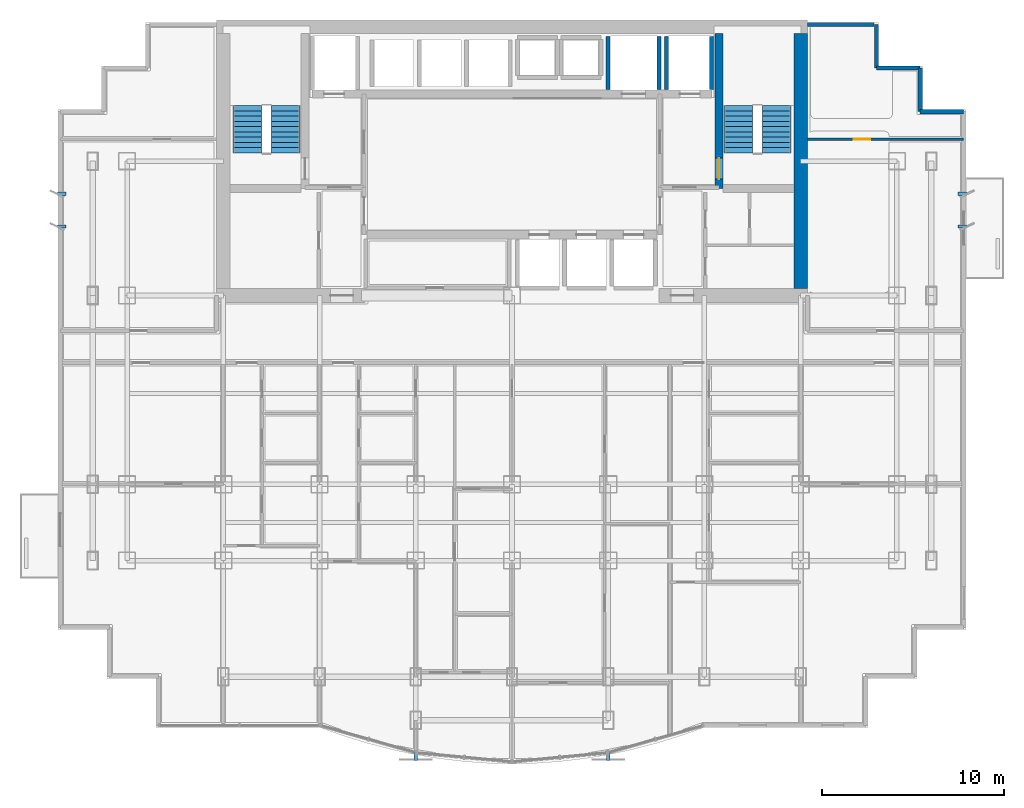
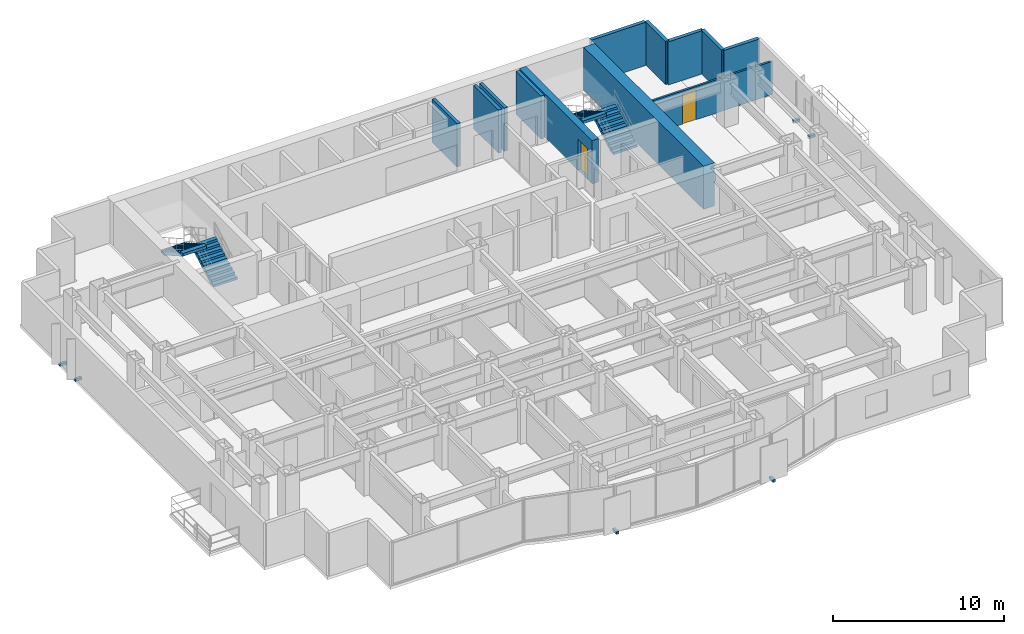
# One storey, part 8 of 10: 12 walls, 6 discrete accessories, 4 stair flights, 2 doors, 2 openings, 2 elements without a shape of their own.
"""IFC4 building model written with IfcOpenShell, lengths in metres."""

from ifc_helpers import new_model, si_unit, direction, frame, frame_2d, origin, origin_2d, place, context, subcontext, project, spatial, polyline, rectangle, outline, extrude, source, transform, mapped, material, layer, layer_set, type_object, element, fill, aggregate, save


model = new_model("IFC4")

# Units and contexts
model_context = context("Model", 3, precision=1e-05, world=origin(), true_north=direction((0.0, 1.0)))
body_context = subcontext(model_context, "Body", "Model", "MODEL_VIEW")
ifc_project = project(units=[si_unit("LENGTHUNIT", "METRE"), si_unit("AREAUNIT", "SQUARE_METRE"), si_unit("VOLUMEUNIT", "CUBIC_METRE"), si_unit("PLANEANGLEUNIT", "RADIAN"), si_unit("MASSUNIT", "GRAM", prefix="KILO")], contexts=[model_context])

# Site, building, storey
site_placement = place(None, origin())
site = spatial("IfcSite", under=ifc_project, at=site_placement, CompositionType="ELEMENT")
building_placement = place(site_placement, origin())
building = spatial("IfcBuilding", under=site, at=building_placement, Name="Qianlan Lanfeng Residences", CompositionType="ELEMENT")
storey_placement = place(building_placement, frame((0.0, 0.0, 118.0)))
storey = spatial("IfcBuildingStorey", under=building, at=storey_placement, Name="L32", CompositionType="ELEMENT", Elevation=118.0)

# Wall, opening, door
ifc_material_1 = material(Name="Concrete C60", Category="concrete")
ifc_layer_1 = layer(ifc_material_1, 0.449951171875)
ifc_layer_set_1 = layer_set([ifc_layer_1], Name="Concrete C60")
wall_type_1 = type_object("IfcWallType", Name="CW-RC-450", PredefinedType="SHEAR", material=ifc_layer_set_1)
wall_1_placement = place(storey_placement, frame((37.89990234375, 31.10009765625, 0.0), z_axis=(0.0, 0.0, 1.0), x_axis=(0.0, 1.0, 0.0)))
wall_1 = element("IfcWall", 1, at=wall_1_placement, inside=storey, type_object=wall_type_1, Name="L32 Core Shear Wall ST2W", PredefinedType="SHEAR", context=body_context, shape_type="SweptSolid", body=[
    extrude(rectangle(XDim=8.52490234375, YDim=0.449951171875, at=frame_2d((4.262451171875, 0.0))), origin(), (0.0, 0.0, 1.0), 3.090087890625),
])
opening_1_placement = place(wall_1_placement, frame((0.510009765625, 0.0, 0.0)))
opening_1 = element("IfcOpeningElement", 2, at=opening_1_placement, cuts=wall_1, Name="Opening L32-D08", PredefinedType="OPENING", context=body_context, shape_type="SweptSolid", body=[
    extrude(rectangle(XDim=1.14990234375, YDim=2.199951171875, at=frame_2d((0.574951171875, 1.10009765625))), frame((0.0, 0.23486328125, 0.0), z_axis=(0.0, -1.0, 0.0), x_axis=(1.0, 0.0, 0.0)), (0.0, 0.0, 1.0), 0.469970703125),
])
ifc_material_2 = material(Name="Painted Galvanised Steel Fire Door", Category="steel")
door_type_1 = type_object("IfcDoorType", Name="DT-ST1", OperationType="NOTDEFINED", PredefinedType="DOOR", material=ifc_material_2)
door_1_placement = place(opening_1_placement, origin())
door_1 = element("IfcDoor", 3, at=door_1_placement, inside=storey, type_object=door_type_1, Name="L32 Exit Stair ST-2 Door L32-D08 (DT-ST1)", OperationType="SINGLE_SWING_RIGHT", OverallHeight=2.199951171875, OverallWidth=1.14990234375, PredefinedType="DOOR", context=body_context, shape_type="SweptSolid", body=[
    extrude(rectangle(XDim=1.14990234375, YDim=2.199951171875, at=frame_2d((0.574951171875, 1.10009765625))), frame((0.0, 0.02490234375, 0.0), z_axis=(0.0, -1.0, 0.0), x_axis=(1.0, 0.0, 0.0)), (0.0, 0.0, 1.0), 0.050048828125),
])
fill(opening_1, door_1)

# Walls
ifc_layer_2 = layer(ifc_material_1, 0.75)
ifc_layer_set_2 = layer_set([ifc_layer_2], Name="Concrete C60")
wall_type_2 = type_object("IfcWallType", Name="CW-RC-750", PredefinedType="SHEAR", material=ifc_layer_set_2)
wall_2_placement = place(storey_placement, frame((42.39990234375, 25.574951171875, 0.0), z_axis=(0.0, 0.0, 1.0), x_axis=(0.0, 1.0, 0.0)))
element("IfcWall", 4, at=wall_2_placement, inside=storey, type_object=wall_type_2, Name="L32 Core Shear Wall E", PredefinedType="SHEAR", context=body_context, shape_type="SweptSolid", body=[
    extrude(rectangle(XDim=14.050048828125, YDim=0.75, at=frame_2d((7.02490234375, 0.0))), origin(), (0.0, 0.0, 1.0), 3.090087890625),
])
ifc_material_3 = material(Name="Concrete C42", Category="concrete")
ifc_layer_3 = layer(ifc_material_3, 0.239990234375)
ifc_layer_set_3 = layer_set([ifc_layer_3], Name="Concrete C42")
wall_type_3 = type_object("IfcWallType", Name="EW-240", PredefinedType="SOLIDWALL", material=ifc_layer_set_3)
for number, where, z_axis, x_axis, name in (
    (5, (51.3798828125, 35.330078125, 0.0), (0.0, 0.0, 1.0), (-1.0, 0.0, 0.0), "L32 Exterior Facade Spandrel Wall 11"),
    (6, (48.97998046875, 35.330078125, 0.0), (0.0, 0.0, 1.0), (0.0, 1.0, 0.0), "L32 Exterior Facade Spandrel Wall 12"),
    (7, (48.97998046875, 37.72998046875, 0.0), (0.0, 0.0, 1.0), (-1.0, 0.0, 0.0), "L32 Exterior Facade Spandrel Wall 13"),
    (8, (46.580078125, 37.72998046875, 0.0), (0.0, 0.0, 1.0), (0.0, 1.0, 0.0), "L32 Exterior Facade Spandrel Wall 14"),
):
    element("IfcWall", number, at=place(storey_placement, frame(where, z_axis=z_axis, x_axis=x_axis)), inside=storey, type_object=wall_type_3, Name=name, PredefinedType="SOLIDWALL", context=body_context, shape_type="SweptSolid", body=[
        extrude(rectangle(XDim=2.39990234375, YDim=0.239990234375, at=frame_2d((1.199951171875, 0.0))), origin(), (0.0, 0.0, 1.0), 3.090087890625),
    ])
wall_3_placement = place(storey_placement, frame((46.449951171875, 40.1298828125, 0.0), z_axis=(0.0, 0.0, 1.0), x_axis=(-1.0, 0.0, 0.0)))
element("IfcWall", 9, at=wall_3_placement, inside=storey, type_object=wall_type_3, Name="L32 North Wing Exterior Wall E", PredefinedType="SOLIDWALL", context=body_context, shape_type="SweptSolid", body=[
    extrude(rectangle(XDim=3.675048828125, YDim=0.239990234375, at=frame_2d((1.83740234375, 0.0))), origin(), (0.0, 0.0, 1.0), 3.090087890625),
])

# Wall, opening, door
ifc_material_4 = material(Name="Moisture-Resistant Gypsum Partition 135 mm")
ifc_layer_4 = layer(ifc_material_4, 0.135009765625)
ifc_layer_set_4 = layer_set([ifc_layer_4], Name="Moisture-Resistant Gypsum Partition 135 mm")
wall_type_4 = type_object("IfcWallType", Name="PW-135", PredefinedType="PARTITIONING", material=ifc_layer_set_4)
wall_4_placement = place(storey_placement, frame((42.77490234375, 33.800048828125, 0.0), z_axis=(0.0, 0.0, 1.0), x_axis=(1.0, 0.0, 0.0)))
wall_4 = element("IfcWall", 10, at=wall_4_placement, inside=storey, type_object=wall_type_4, Name="L32 EW North Wing Wall", PredefinedType="PARTITIONING", context=body_context, shape_type="SweptSolid", body=[
    extrude(rectangle(XDim=8.60498046875, YDim=0.135009765625, at=frame_2d((4.302490234375, 0.0))), origin(), (0.0, 0.0, 1.0), 2.3798828125),
])
opening_2_placement = place(wall_4_placement, frame((2.5419921875, 0.0, 0.0)))
opening_2 = element("IfcOpeningElement", 11, at=opening_2_placement, cuts=wall_4, Name="Opening L32-D46", PredefinedType="OPENING", context=body_context, shape_type="SweptSolid", body=[
    extrude(rectangle(XDim=0.919921875, YDim=2.14990234375, at=frame_2d((0.4599609375, 1.074951171875))), frame((0.0, 0.07763671875, 0.0), z_axis=(0.0, -1.0, 0.0), x_axis=(1.0, 0.0, 0.0)), (0.0, 0.0, 1.0), 0.155029296875),
])
ifc_material_5 = material(Name="Glazed Timber Kitchen/Study Door", Category="wood")
door_type_2 = type_object("IfcDoorType", Name="DT-INT", OperationType="NOTDEFINED", PredefinedType="DOOR", material=ifc_material_5)
door_2_placement = place(opening_2_placement, origin())
door_2 = element("IfcDoor", 12, at=door_2_placement, inside=storey, type_object=door_type_2, Name="L32 EW Inner Salon Door L32-D46 (DT-INT)", OperationType="SINGLE_SWING_RIGHT", OverallHeight=2.14990234375, OverallWidth=0.919921875, PredefinedType="DOOR", context=body_context, shape_type="SweptSolid", body=[
    extrude(rectangle(XDim=0.919921875, YDim=2.14990234375, at=frame_2d((0.4599609375, 1.074951171875))), frame((0.0, 0.02490234375, 0.0), z_axis=(0.0, -1.0, 0.0), x_axis=(1.0, 0.0, 0.0)), (0.0, 0.0, 1.0), 0.050048828125),
])
fill(opening_2, door_2)

# Walls
ifc_material_6 = material(Name="Concrete C49", Category="concrete")
ifc_layer_5 = layer(ifc_material_6, 0.219970703125)
ifc_layer_set_5 = layer_set([ifc_layer_5], Name="Concrete C49")
wall_type_5 = type_object("IfcWallType", Name="SHW-220", PredefinedType="SOLIDWALL", material=ifc_layer_set_5)
for number, where, z_axis, x_axis, name in (
    (13, (35.0, 36.550048828125, 0.0), (0.0, 0.0, 1.0), (0.0, 1.0, 0.0), "L32 Lift FFL-2 Shaft Wall W"),
    (14, (37.47998046875, 36.550048828125, 0.0), (0.0, 0.0, 1.0), (0.0, 1.0, 0.0), "L32 Lift FFL-2 Shaft Wall E"),
    (15, (31.800048828125, 36.550048828125, 0.0), (0.0, 0.0, 1.0), (0.0, 1.0, 0.0), "L32 Lift SVL-1 Shaft Wall W"),
    (16, (34.60009765625, 36.550048828125, 0.0), (0.0, 0.0, 1.0), (0.0, 1.0, 0.0), "L32 Lift SVL-1 Shaft Wall E"),
):
    element("IfcWall", number, at=place(storey_placement, frame(where, z_axis=z_axis, x_axis=x_axis)), inside=storey, type_object=wall_type_5, Name=name, PredefinedType="SOLIDWALL", context=body_context, shape_type="SweptSolid", body=[
        extrude(rectangle(XDim=2.929931640625, YDim=0.219970703125, at=frame_2d((1.46484375, 0.0))), origin(), (0.0, 0.0, 1.0), 3.090087890625),
    ])

# Stair, stair flights
stair_type = type_object("IfcStairType", Name="STR-MAIN", PredefinedType="HALF_TURN_STAIR", material=ifc_material_3)
stair_1_placement = place(storey_placement, origin())
stair_1 = element("IfcStair", 17, at=stair_1_placement, inside=storey, type_object=stair_type, Name="L32 Exit Stair ST-1", PredefinedType="HALF_TURN_STAIR")
stair_flight_type = type_object("IfcStairFlightType", Name="FLT-1720", PredefinedType="STRAIGHT", material=ifc_material_3)
stair_flight_1_placement = place(storey_placement, frame((14.02001953125, 33.050048828125, 0.0), z_axis=(0.0, 0.0, 1.0), x_axis=(0.0, 1.0, 0.0)))
stair_flight_1 = element("IfcStairFlight", 18, at=stair_flight_1_placement, type_object=stair_flight_type, Name="ST-1 flight 1", NumberOfRisers=10, NumberOfTreads=9, PredefinedType="STRAIGHT", RiserHeight=0.165, TreadLength=0.29, context=body_context, shape_type="SweptSolid", body=[
    extrude(outline(polyline([(0.0, 0.0), (0.0, 0.1650390625), (0.2900390625, 0.1650390625), (0.2900390625, 0.330078125), (0.580078125, 0.330078125), (0.580078125, 0.4951171875), (0.8701171875, 0.4951171875), (0.8701171875, 0.659912109375), (1.159912109375, 0.659912109375), (1.159912109375, 0.824951171875), (1.449951171875, 0.824951171875), (1.449951171875, 0.989990234375), (1.739990234375, 0.989990234375), (1.739990234375, 1.155029296875), (2.030029296875, 1.155029296875), (2.030029296875, 1.320068359375), (2.320068359375, 1.320068359375), (2.320068359375, 1.485107421875), (2.610107421875, 1.485107421875), (2.610107421875, 1.64990234375), (2.610107421875, 1.278076171875), (0.36376953125, 0.0), (0.0, 0.0)])), frame((0.0, 0.800048828125, 0.0), z_axis=(0.0, -1.0, 0.0), x_axis=(1.0, 0.0, 0.0)), (0.0, 0.0, 1.0), 1.60009765625),
])
stair_flight_2_placement = place(storey_placement, frame((11.93994140625, 35.659912109375, 1.64990234375), z_axis=(0.0, 0.0, 1.0), x_axis=(0.0, -1.0, 0.0)))
stair_flight_2 = element("IfcStairFlight", 19, at=stair_flight_2_placement, type_object=stair_flight_type, Name="ST-1 flight 2", NumberOfRisers=10, NumberOfTreads=9, PredefinedType="STRAIGHT", RiserHeight=0.165, TreadLength=0.29, context=body_context, shape_type="SweptSolid", body=[
    extrude(outline(polyline([(0.0, 0.0), (0.0, 0.1650390625), (0.2900390625, 0.1650390625), (0.2900390625, 0.330078125), (0.580078125, 0.330078125), (0.580078125, 0.4951171875), (0.8701171875, 0.4951171875), (0.8701171875, 0.659912109375), (1.159912109375, 0.659912109375), (1.159912109375, 0.824951171875), (1.449951171875, 0.824951171875), (1.449951171875, 0.989990234375), (1.739990234375, 0.989990234375), (1.739990234375, 1.155029296875), (2.030029296875, 1.155029296875), (2.030029296875, 1.320068359375), (2.320068359375, 1.320068359375), (2.320068359375, 1.485107421875), (2.610107421875, 1.485107421875), (2.610107421875, 1.64990234375), (2.610107421875, 1.278076171875), (0.36376953125, 0.0), (0.0, 0.0)])), frame((0.0, 0.800048828125, 0.0), z_axis=(0.0, -1.0, 0.0), x_axis=(1.0, 0.0, 0.0)), (0.0, 0.0, 1.0), 1.60009765625),
])
aggregate(stair_1, [stair_flight_1, stair_flight_2])

stair_2_placement = place(storey_placement, origin())
stair_2 = element("IfcStair", 20, at=stair_2_placement, inside=storey, type_object=stair_type, Name="L32 Exit Stair ST-2", PredefinedType="HALF_TURN_STAIR")
stair_flight_3_placement = place(storey_placement, frame((41.06005859375, 33.050048828125, 0.0), z_axis=(0.0, 0.0, 1.0), x_axis=(0.0, 1.0, 0.0)))
stair_flight_3 = element("IfcStairFlight", 21, at=stair_flight_3_placement, type_object=stair_flight_type, Name="ST-2 flight 1", NumberOfRisers=10, NumberOfTreads=9, PredefinedType="STRAIGHT", RiserHeight=0.165, TreadLength=0.29, context=body_context, shape_type="SweptSolid", body=[
    extrude(outline(polyline([(0.0, 0.0), (0.0, 0.1650390625), (0.2900390625, 0.1650390625), (0.2900390625, 0.330078125), (0.580078125, 0.330078125), (0.580078125, 0.4951171875), (0.8701171875, 0.4951171875), (0.8701171875, 0.659912109375), (1.159912109375, 0.659912109375), (1.159912109375, 0.824951171875), (1.449951171875, 0.824951171875), (1.449951171875, 0.989990234375), (1.739990234375, 0.989990234375), (1.739990234375, 1.155029296875), (2.030029296875, 1.155029296875), (2.030029296875, 1.320068359375), (2.320068359375, 1.320068359375), (2.320068359375, 1.485107421875), (2.610107421875, 1.485107421875), (2.610107421875, 1.64990234375), (2.610107421875, 1.278076171875), (0.36376953125, 0.0), (0.0, 0.0)])), frame((0.0, 0.800048828125, 0.0), z_axis=(0.0, -1.0, 0.0), x_axis=(1.0, 0.0, 0.0)), (0.0, 0.0, 1.0), 1.60009765625),
])
stair_flight_4_placement = place(storey_placement, frame((38.97998046875, 35.659912109375, 1.64990234375), z_axis=(0.0, 0.0, 1.0), x_axis=(0.0, -1.0, 0.0)))
stair_flight_4 = element("IfcStairFlight", 22, at=stair_flight_4_placement, type_object=stair_flight_type, Name="ST-2 flight 2", NumberOfRisers=10, NumberOfTreads=9, PredefinedType="STRAIGHT", RiserHeight=0.165, TreadLength=0.29, context=body_context, shape_type="SweptSolid", body=[
    extrude(outline(polyline([(0.0, 0.0), (0.0, 0.1650390625), (0.2900390625, 0.1650390625), (0.2900390625, 0.330078125), (0.580078125, 0.330078125), (0.580078125, 0.4951171875), (0.8701171875, 0.4951171875), (0.8701171875, 0.659912109375), (1.159912109375, 0.659912109375), (1.159912109375, 0.824951171875), (1.449951171875, 0.824951171875), (1.449951171875, 0.989990234375), (1.739990234375, 0.989990234375), (1.739990234375, 1.155029296875), (2.030029296875, 1.155029296875), (2.030029296875, 1.320068359375), (2.320068359375, 1.320068359375), (2.320068359375, 1.485107421875), (2.610107421875, 1.485107421875), (2.610107421875, 1.64990234375), (2.610107421875, 1.278076171875), (0.36376953125, 0.0), (0.0, 0.0)])), frame((0.0, 0.800048828125, 0.0), z_axis=(0.0, -1.0, 0.0), x_axis=(1.0, 0.0, 0.0)), (0.0, 0.0, 1.0), 1.60009765625),
])
aggregate(stair_2, [stair_flight_3, stair_flight_4])

# Discrete accessories
ifc_material_7 = material(Name="Stainless Steel Facade Bracket", Category="steel")
discrete_accessory_type = type_object("IfcDiscreteAccessoryType", Name="BRK-SS-350", PredefinedType="BRACKET", material=ifc_material_7)
shared_shape_1 = source(origin(), body_context, "Body", "SweptSolid", [
    extrude(rectangle(XDim=0.179931640625, YDim=0.449951171875, at=origin_2d()), origin(), (0.0, 0.0, 1.0), 0.179931640625),
])
for number, where, z_axis, x_axis, name in (
    (23, (21.199951171875, -0.199951171875, -0.14990234375), (0.0, 0.0, 1.0), (1.0, 0.0, 0.0), "L32 Solar Screen Support Bracket 1"),
    (24, (31.800048828125, -0.199951171875, -0.14990234375), (0.0, 0.0, 1.0), (1.0, 0.0, 0.0), "L32 Solar Screen Support Bracket 2"),
):
    element("IfcDiscreteAccessory", number, at=place(storey_placement, frame(where, z_axis=z_axis, x_axis=x_axis)), inside=storey, type_object=discrete_accessory_type, Name=name, PredefinedType="BRACKET", context=body_context, shape_type="MappedRepresentation", body=[
        mapped(shared_shape_1, transform((0.0, 0.0, 0.0), scale=1.0)),
    ])
shared_shape_2 = source(origin(), body_context, "Body", "SweptSolid", [
    extrude(rectangle(XDim=0.449951171875, YDim=0.179931640625, at=origin_2d()), origin(), (0.0, 0.0, 1.0), 0.179931640625),
])
for number, where, z_axis, x_axis, name in (
    (25, (1.699951171875, 29.0, -0.14990234375), (0.0, 0.0, 1.0), (1.0, 0.0, 0.0), "L32 Raked Solar Fin Support Bracket W1"),
    (26, (1.699951171875, 30.800048828125, -0.14990234375), (0.0, 0.0, 1.0), (1.0, 0.0, 0.0), "L32 Raked Solar Fin Support Bracket W2"),
    (27, (51.300048828125, 29.0, -0.14990234375), (0.0, 0.0, 1.0), (1.0, 0.0, 0.0), "L32 Raked Solar Fin Support Bracket E1"),
    (28, (51.300048828125, 30.800048828125, -0.14990234375), (0.0, 0.0, 1.0), (1.0, 0.0, 0.0), "L32 Raked Solar Fin Support Bracket E2"),
):
    element("IfcDiscreteAccessory", number, at=place(storey_placement, frame(where, z_axis=z_axis, x_axis=x_axis)), inside=storey, type_object=discrete_accessory_type, Name=name, PredefinedType="BRACKET", context=body_context, shape_type="MappedRepresentation", body=[
        mapped(shared_shape_2, transform((0.0, 0.0, 0.0), scale=1.0)),
    ])

save(model, "model.ifc")
